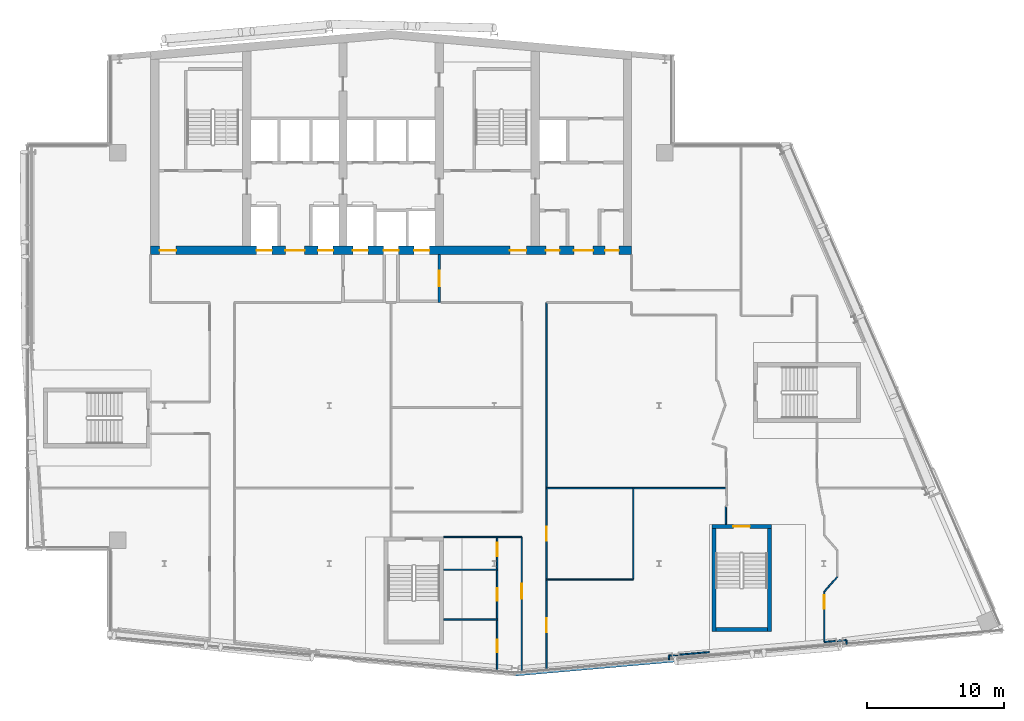
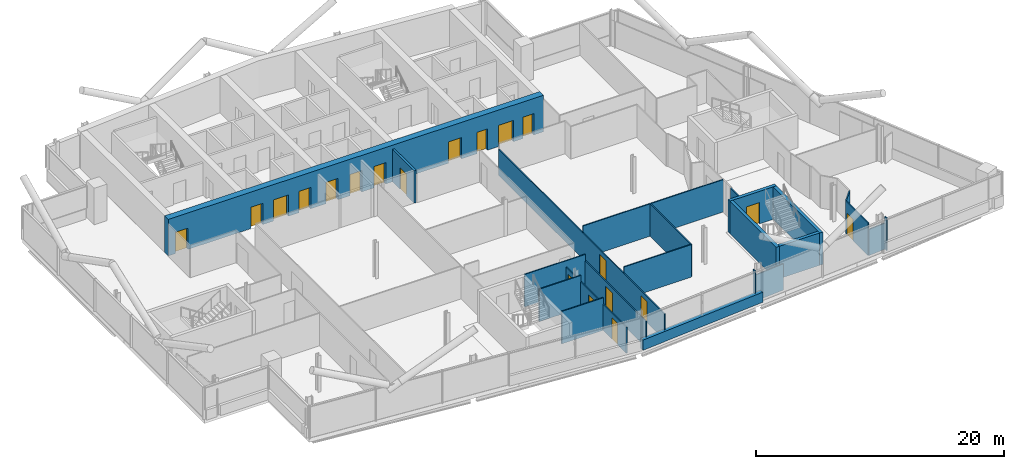
# One storey, part 16 of 28: 23 walls, 20 doors, 20 openings.
"""IFC4 building model written with IfcOpenShell, lengths in metres."""

import ifcopenshell
import ifcopenshell.guid

model = None  # the IFC model being written
_history = None  # IfcOwnerHistory: only IFC2X3 demands one
_inside = {}  # id of a spatial element -> (the spatial element, [elements in it])
_under = {}  # id of a project, library or spatial element -> (it, [spatial elements below it])
_declared = {}  # id of a project -> (the project, [libraries it declares])
_typed = {}  # id of a type object -> (the type object, [elements of that type])
_made_of = {}  # id of a material, layer set ... -> (it, [elements and type objects made of it])


def new_model(schema):
    """Start an empty IFC model of exactly this schema.

    Asked for "IFC4X3", IfcOpenShell would pick the latest addendum, in which some entities
    have other attributes; the version numbers below select the first issue.
    IFC2X3 requires an IfcOwnerHistory on every rooted entity: one is made here for all.
    """
    global model, _history
    if schema == "IFC4X3":
        model = ifcopenshell.file(schema_version=(4, 3, 0, 0))
    else:
        model = ifcopenshell.file(schema=schema)
    _inside.clear()
    _under.clear()
    _declared.clear()
    _typed.clear()
    _made_of.clear()
    _history = None
    if model.schema == "IFC2X3":
        org = make("IfcOrganization", Name="unknown")
        user = make(
            "IfcPersonAndOrganization",
            ThePerson=make("IfcPerson", FamilyName="unknown"),
            TheOrganization=org,
        )
        app = make(
            "IfcApplication",
            ApplicationDeveloper=org,
            Version="unknown",
            ApplicationFullName="unknown",
            ApplicationIdentifier="unknown",
        )
        _history = make(
            "IfcOwnerHistory",
            OwningUser=user,
            OwningApplication=app,
            ChangeAction="ADDED",
            CreationDate=0,
        )
    return model


def make(cls, **values):
    """One entity of the class cls with the attributes given. An attribute that is None is left unset."""
    return model.create_entity(
        cls, **{name: value for name, value in values.items() if value is not None}
    )


def rooted(cls, **values):
    """An entity with a GlobalId (a new one), such as an element, a storey or a relation."""
    return make(cls, GlobalId=ifcopenshell.guid.new(), OwnerHistory=_history, **values)


def si_unit(unit_type, name, prefix=None):
    """IfcSIUnit, for example si_unit("LENGTHUNIT", "METRE", prefix="MILLI")."""
    return make("IfcSIUnit", UnitType=unit_type, Prefix=prefix, Name=name)


def assignment(units):
    """IfcUnitAssignment: the units of a project."""
    return None if units is None else make("IfcUnitAssignment", Units=units)


def point(xyz):
    """IfcCartesianPoint."""
    return None if xyz is None else make("IfcCartesianPoint", Coordinates=xyz)


def direction(xyz):
    """IfcDirection."""
    return None if xyz is None else make("IfcDirection", DirectionRatios=xyz)


def frame(location, z_axis=None, x_axis=None):
    """IfcAxis2Placement3D, a coordinate frame: its origin and axes. An axis left out is left unset."""
    return make(
        "IfcAxis2Placement3D",
        Location=point(location),
        Axis=direction(z_axis),
        RefDirection=direction(x_axis),
    )


def frame_2d(location, x_axis=None):
    """IfcAxis2Placement2D, a coordinate frame in the plane: its origin and x axis."""
    return make(
        "IfcAxis2Placement2D", Location=point(location), RefDirection=direction(x_axis)
    )


def origin():
    """The frame at (0, 0, 0) with its axes left unset."""
    return frame((0.0, 0.0, 0.0))


def place(relative_to, where):
    """IfcLocalPlacement: puts the frame where relative to a parent placement (None: the world)."""
    return make(
        "IfcLocalPlacement", PlacementRelTo=relative_to, RelativePlacement=where
    )


def context(
    kind, dimensions, precision=None, world=None, true_north=None, identifier=None
):
    """IfcGeometricRepresentationContext, for example the 3D "Model" context."""
    return make(
        "IfcGeometricRepresentationContext",
        ContextIdentifier=identifier,
        ContextType=kind,
        CoordinateSpaceDimension=dimensions,
        Precision=precision,
        WorldCoordinateSystem=world,
        TrueNorth=true_north,
    )


def subcontext(parent, identifier, kind, view, scale=None):
    """IfcGeometricRepresentationSubContext, for example "Body" below "Model"."""
    return make(
        "IfcGeometricRepresentationSubContext",
        ContextIdentifier=identifier,
        ContextType=kind,
        ParentContext=parent,
        TargetScale=scale,
        TargetView=view,
    )


def project(units=None, contexts=None):
    """IfcProject with its units and contexts."""
    return rooted(
        "IfcProject",
        Name="project",
        RepresentationContexts=contexts,
        UnitsInContext=assignment(units),
    )


def spatial(cls, under=None, at=None, **own):
    """A site, building, storey or space (cls), placed at a placement, below another one or the project."""
    s = rooted(cls, ObjectPlacement=at, **own)
    if under is not None:
        _under.setdefault(under.id(), (under, []))[1].append(s)
    return s


def profile(cls, at=None, kind="AREA", **sizes):
    """A parametric profile (cls). Its sizes go by their IFC names, for example OverallWidth=200.0."""
    return make(cls, ProfileType=kind, Position=at, **sizes)


def rectangle(**sizes):
    """IfcRectangleProfileDef."""
    return profile("IfcRectangleProfileDef", **sizes)


def extrude(swept, where, along, depth):
    """IfcExtrudedAreaSolid: the profile swept, set in the frame where, extruded along a direction by depth."""
    return make(
        "IfcExtrudedAreaSolid",
        SweptArea=swept,
        Position=where,
        ExtrudedDirection=direction(along),
        Depth=depth,
    )


def shape(context_of_items, identifier, shape_type, items):
    """IfcShapeRepresentation: the items that make up one representation, for example the "Body"."""
    return make(
        "IfcShapeRepresentation",
        ContextOfItems=context_of_items,
        RepresentationIdentifier=identifier,
        RepresentationType=shape_type,
        Items=items,
    )


def material(Name=None, Category=None):
    """IfcMaterial."""
    return make("IfcMaterial", Name=Name, Category=Category)


def layer(
    of_material, thickness, ventilated=None, Name=None, Category=None, Priority=None
):
    """IfcMaterialLayer: one layer of a wall or slab, of a material (None: an air gap)."""
    return make(
        "IfcMaterialLayer",
        Material=of_material,
        LayerThickness=thickness,
        IsVentilated=ventilated,
        Name=Name,
        Category=Category,
        Priority=Priority,
    )


def layer_set(layers, Name=None):
    """IfcMaterialLayerSet."""
    return make("IfcMaterialLayerSet", MaterialLayers=layers, LayerSetName=Name)


def made_of(thing, what):
    """Note that an element or type object is made of a material, layer set ...; save() writes the relation."""
    if what is not None:
        _made_of.setdefault(what.id(), (what, []))[1].append(thing)
    return thing


def type_object(cls, material=None, **own):
    """A type object (cls), such as IfcWallType, which elements share."""
    return made_of(rooted(cls, **own), material)


def element(
    cls,
    number,
    at=None,
    inside=None,
    cuts=None,
    type_object=None,
    material=None,
    context=None,
    identifier="Body",
    shape_type=None,
    held_by="IfcProductDefinitionShape",
    body=None,
    shapes=None,
    **own,
):
    """One element of the class cls, such as IfcWall. Its Tag is "e" and its number.

    at: its placement. inside: the storey or other place that contains it. cuts: it is an
    opening in that element (IfcRelVoidsElement). A single representation is given by context,
    identifier, shape_type and body (its items); several are given by shapes. held_by: the class
    of the entity that holds the representations. save() writes the other relations.
    """
    e = rooted(cls, Tag="e%d" % number, ObjectPlacement=at, **own)
    if body is not None:
        shapes = [shape(context, identifier, shape_type, body)]
    if shapes is not None:
        e.Representation = make(held_by, Representations=shapes)
    if inside is not None:
        _inside.setdefault(inside.id(), (inside, []))[1].append(e)
    if cuts is not None:
        rooted(
            "IfcRelVoidsElement", RelatingBuildingElement=cuts, RelatedOpeningElement=e
        )
    if type_object is not None:
        _typed.setdefault(type_object.id(), (type_object, []))[1].append(e)
    return made_of(e, material)


def fill(opening, filler):
    """IfcRelFillsElement: the door or window that sits in an opening."""
    return rooted(
        "IfcRelFillsElement",
        RelatingOpeningElement=opening,
        RelatedBuildingElement=filler,
    )


def aggregate(whole, parts):
    """IfcRelAggregates: a whole, such as a stair, and the parts it consists of."""
    return rooted("IfcRelAggregates", RelatingObject=whole, RelatedObjects=parts)


def save(model, path):
    """Write the relations noted so far, then the file.

    IfcRelAggregates (storeys below a building ...), IfcRelContainedInSpatialStructure (elements
    in a storey), IfcRelDefinesByType, IfcRelAssociatesMaterial and IfcRelDeclares: one each for
    every whole, place, type object, material and project.
    """
    for whole, parts in _under.values():
        aggregate(whole, parts)
    for where, things in _inside.values():
        rooted(
            "IfcRelContainedInSpatialStructure",
            RelatedElements=things,
            RelatingStructure=where,
        )
    for kind, things in _typed.values():
        rooted("IfcRelDefinesByType", RelatedObjects=things, RelatingType=kind)
    for what, things in _made_of.values():
        rooted("IfcRelAssociatesMaterial", RelatedObjects=things, RelatingMaterial=what)
    for by, libraries in _declared.values():
        rooted("IfcRelDeclares", RelatingContext=by, RelatedDefinitions=libraries)
    model.write(path)


model = new_model("IFC4")

# Units and contexts
model_context = context("Model", 3, precision=1e-05, world=origin(), true_north=direction((0.0, 1.0)))
body_context = subcontext(model_context, "Body", "Model", "MODEL_VIEW")
ifc_project = project(units=[si_unit("LENGTHUNIT", "METRE"), si_unit("AREAUNIT", "SQUARE_METRE"), si_unit("VOLUMEUNIT", "CUBIC_METRE"), si_unit("PLANEANGLEUNIT", "RADIAN"), si_unit("MASSUNIT", "GRAM", prefix="KILO")], contexts=[model_context])

# Site, building, storey
site_placement = place(None, origin())
site = spatial("IfcSite", under=ifc_project, at=site_placement, CompositionType="ELEMENT")
building_placement = place(site_placement, origin())
building = spatial("IfcBuilding", under=site, at=building_placement, Name="Wharfspan Tower", CompositionType="ELEMENT")
storey_placement = place(building_placement, frame((0.0, 0.0, 253.899902)))
storey = spatial("IfcBuildingStorey", under=building, at=storey_placement, Name="L64", CompositionType="ELEMENT", Elevation=253.899902)

# Wall
ifc_material_1 = material(Name="Gypsum board on steel studs", Category="steel")
ifc_layer_1 = layer(ifc_material_1, 0.100098)
ifc_layer_set_1 = layer_set([ifc_layer_1], Name="Gypsum board on steel studs")
wall_type_1 = type_object("IfcWallType", Name="Compartment wall 100 EI 60", PredefinedType="PARTITIONING", material=ifc_layer_set_1)
wall_1_placement = place(storey_placement, frame((44.327148, 13.439941, 0.0), z_axis=(0.0, 0.0, 1.0), x_axis=(1.0, 0.0, 0.0)))
element("IfcWall", 1, at=wall_1_placement, inside=storey, type_object=wall_type_1, Name="Partition L64.w025", PredefinedType="PARTITIONING", context=body_context, shape_type="SweptSolid", body=[
    extrude(rectangle(XDim=5.682861, YDim=0.100098, at=frame_2d((2.841309, 0.0))), origin(), (0.0, 0.0, 1.0), 3.200195),
])

# Wall, openings, doors
wall_2_placement = place(storey_placement, frame((48.219971, 3.626221, 0.0), z_axis=(0.0, 0.0, 1.0), x_axis=(0.0, 1.0, 0.0)))
wall_2 = element("IfcWall", 2, at=wall_2_placement, inside=storey, type_object=wall_type_1, Name="Partition L64.w026", PredefinedType="PARTITIONING", context=body_context, shape_type="SweptSolid", body=[
    extrude(rectangle(XDim=9.808838, YDim=0.100098, at=frame_2d((4.904297, 0.0))), origin(), (0.0, 0.0, 1.0), 2.580078),
])
opening_1_placement = place(wall_2_placement, frame((1.429688, 0.0, 0.0)))
opening_1 = element("IfcOpeningElement", 3, at=opening_1_placement, cuts=wall_2, Name="Opening D6-01", PredefinedType="OPENING", context=body_context, shape_type="SweptSolid", body=[
    extrude(rectangle(XDim=0.899902, YDim=2.100098, at=frame_2d((0.449951, 1.050049))), frame((0.0, 0.060059, 0.0), z_axis=(0.0, -1.0, 0.0), x_axis=(1.0, 0.0, 0.0)), (0.0, 0.0, 1.0), 0.120117),
])
opening_2_placement = place(wall_2_placement, frame((5.178711, 0.0, 0.0)))
opening_2 = element("IfcOpeningElement", 4, at=opening_2_placement, cuts=wall_2, Name="Opening D6-04", PredefinedType="OPENING", context=body_context, shape_type="SweptSolid", body=[
    extrude(rectangle(XDim=0.899902, YDim=2.100098, at=frame_2d((0.449951, 1.050049))), frame((0.0, 0.060059, 0.0), z_axis=(0.0, -1.0, 0.0), x_axis=(1.0, 0.0, 0.0)), (0.0, 0.0, 1.0), 0.120117),
])
opening_3_placement = place(wall_2_placement, frame((8.394531, 0.0, 0.0)))
opening_3 = element("IfcOpeningElement", 5, at=opening_3_placement, cuts=wall_2, Name="Opening D6-08", PredefinedType="OPENING", context=body_context, shape_type="SweptSolid", body=[
    extrude(rectangle(XDim=1.0, YDim=2.100098, at=frame_2d((0.5, 1.050049))), frame((0.0, 0.060059, 0.0), z_axis=(0.0, -1.0, 0.0), x_axis=(1.0, 0.0, 0.0)), (0.0, 0.0, 1.0), 0.120117),
])
ifc_material_2 = material(Name="Timber door leaf in steel frame", Category="steel")
door_type_1 = type_object("IfcDoorType", Name="Door 1000 NOT RATED Right", OperationType="SINGLE_SWING_RIGHT", PredefinedType="DOOR", material=ifc_material_2)
door_1_placement = place(opening_3_placement, origin())
door_1 = element("IfcDoor", 6, at=door_1_placement, inside=storey, type_object=door_type_1, Name="Door D6-08", OperationType="SINGLE_SWING_RIGHT", OverallHeight=2.100098, OverallWidth=1.0, PredefinedType="DOOR", context=body_context, shape_type="SweptSolid", body=[
    extrude(rectangle(XDim=1.0, YDim=2.100098, at=frame_2d((0.5, 1.050049))), frame((0.0, 0.024902, 0.0), z_axis=(0.0, -1.0, 0.0), x_axis=(1.0, 0.0, 0.0)), (0.0, 0.0, 1.0), 0.050049),
])
fill(opening_3, door_1)
door_type_2 = type_object("IfcDoorType", Name="Door 900 NOT RATED Left", OperationType="SINGLE_SWING_LEFT", PredefinedType="DOOR", material=ifc_material_2)
door_2_placement = place(opening_1_placement, origin())
door_2 = element("IfcDoor", 7, at=door_2_placement, inside=storey, type_object=door_type_2, Name="Door D6-01", OperationType="SINGLE_SWING_LEFT", OverallHeight=2.100098, OverallWidth=0.899902, PredefinedType="DOOR", context=body_context, shape_type="SweptSolid", body=[
    extrude(rectangle(XDim=0.899902, YDim=2.100098, at=frame_2d((0.449951, 1.050049))), frame((0.0, 0.024902, 0.0), z_axis=(0.0, -1.0, 0.0), x_axis=(1.0, 0.0, 0.0)), (0.0, 0.0, 1.0), 0.050049),
])
fill(opening_1, door_2)
door_type_3 = type_object("IfcDoorType", Name="Door 900 NOT RATED Right", OperationType="SINGLE_SWING_RIGHT", PredefinedType="DOOR", material=ifc_material_2)
door_3_placement = place(opening_2_placement, origin())
door_3 = element("IfcDoor", 8, at=door_3_placement, inside=storey, type_object=door_type_3, Name="Door D6-04", OperationType="SINGLE_SWING_RIGHT", OverallHeight=2.100098, OverallWidth=0.899902, PredefinedType="DOOR", context=body_context, shape_type="SweptSolid", body=[
    extrude(rectangle(XDim=0.899902, YDim=2.100098, at=frame_2d((0.449951, 1.050049))), frame((0.0, 0.024902, 0.0), z_axis=(0.0, -1.0, 0.0), x_axis=(1.0, 0.0, 0.0)), (0.0, 0.0, 1.0), 0.050049),
])
fill(opening_2, door_3)

# Wall, opening, door
wall_3_placement = place(storey_placement, frame((50.01001, 3.558838, 0.0), z_axis=(0.0, 0.0, 1.0), x_axis=(0.0, 1.0, 0.0)))
wall_3 = element("IfcWall", 9, at=wall_3_placement, inside=storey, type_object=wall_type_1, Name="Partition L64.w027", PredefinedType="PARTITIONING", context=body_context, shape_type="SweptSolid", body=[
    extrude(rectangle(XDim=9.876221, YDim=0.100098, at=frame_2d((4.937988, 0.0))), origin(), (0.0, 0.0, 1.0), 2.580078),
])
opening_4_placement = place(wall_3_placement, frame((5.38623, 0.0, 0.0)))
opening_4 = element("IfcOpeningElement", 10, at=opening_4_placement, cuts=wall_3, Name="Opening D6-05", PredefinedType="OPENING", context=body_context, shape_type="SweptSolid", body=[
    extrude(rectangle(XDim=1.100098, YDim=2.100098, at=frame_2d((0.550049, 1.050049))), frame((0.0, 0.060059, 0.0), z_axis=(0.0, -1.0, 0.0), x_axis=(1.0, 0.0, 0.0)), (0.0, 0.0, 1.0), 0.120117),
])
ifc_material_3 = material(Name="Fire-rated timber door leaf in steel frame", Category="steel")
door_type_4 = type_object("IfcDoorType", Name="Door 1100 FD30S Right", OperationType="SINGLE_SWING_RIGHT", PredefinedType="DOOR", material=ifc_material_3)
door_4_placement = place(opening_4_placement, origin())
door_4 = element("IfcDoor", 11, at=door_4_placement, inside=storey, type_object=door_type_4, Name="Door D6-05", OperationType="SINGLE_SWING_RIGHT", OverallHeight=2.100098, OverallWidth=1.100098, PredefinedType="DOOR", context=body_context, shape_type="SweptSolid", body=[
    extrude(rectangle(XDim=1.100098, YDim=2.100098, at=frame_2d((0.550049, 1.050049))), frame((0.0, 0.024902, 0.0), z_axis=(0.0, -1.0, 0.0), x_axis=(1.0, 0.0, 0.0)), (0.0, 0.0, 1.0), 0.050049),
])
fill(opening_4, door_4)

# Wall, openings, doors
wall_4_placement = place(storey_placement, frame((51.820068, 3.717285, 0.0), z_axis=(0.0, 0.0, 1.0), x_axis=(0.0, 1.0, 0.0)))
wall_4 = element("IfcWall", 12, at=wall_4_placement, inside=storey, type_object=wall_type_1, Name="Partition L64.w029", PredefinedType="PARTITIONING", context=body_context, shape_type="SweptSolid", body=[
    extrude(rectangle(XDim=26.782715, YDim=0.100098, at=frame_2d((13.391357, 0.0))), origin(), (0.0, 0.0, 1.0), 2.580078),
])
opening_5_placement = place(wall_4_placement, frame((2.797607, 0.0, 0.0)))
opening_5 = element("IfcOpeningElement", 13, at=opening_5_placement, cuts=wall_4, Name="Opening D6-02", PredefinedType="OPENING", context=body_context, shape_type="SweptSolid", body=[
    extrude(rectangle(XDim=1.0, YDim=2.100098, at=frame_2d((0.5, 1.050049))), frame((0.0, 0.060059, 0.0), z_axis=(0.0, -1.0, 0.0), x_axis=(1.0, 0.0, 0.0)), (0.0, 0.0, 1.0), 0.120117),
])
opening_6_placement = place(wall_4_placement, frame((9.452881, 0.0, 0.0)))
opening_6 = element("IfcOpeningElement", 14, at=opening_6_placement, cuts=wall_4, Name="Opening D6-09", PredefinedType="OPENING", context=body_context, shape_type="SweptSolid", body=[
    extrude(rectangle(XDim=1.0, YDim=2.100098, at=frame_2d((0.5, 1.050049))), frame((0.0, 0.060059, 0.0), z_axis=(0.0, -1.0, 0.0), x_axis=(1.0, 0.0, 0.0)), (0.0, 0.0, 1.0), 0.120117),
])
door_type_5 = type_object("IfcDoorType", Name="Door 1000 FD30S Left", OperationType="SINGLE_SWING_LEFT", PredefinedType="DOOR", material=ifc_material_3)
door_5_placement = place(opening_5_placement, origin())
door_5 = element("IfcDoor", 15, at=door_5_placement, inside=storey, type_object=door_type_5, Name="Door D6-02", OperationType="SINGLE_SWING_LEFT", OverallHeight=2.100098, OverallWidth=1.0, PredefinedType="DOOR", context=body_context, shape_type="SweptSolid", body=[
    extrude(rectangle(XDim=1.0, YDim=2.100098, at=frame_2d((0.5, 1.050049))), frame((0.0, 0.024902, 0.0), z_axis=(0.0, -1.0, 0.0), x_axis=(1.0, 0.0, 0.0)), (0.0, 0.0, 1.0), 0.050049),
])
fill(opening_5, door_5)
door_6_placement = place(opening_6_placement, origin())
door_6 = element("IfcDoor", 16, at=door_6_placement, inside=storey, type_object=door_type_5, Name="Door D6-09", OperationType="SINGLE_SWING_LEFT", OverallHeight=2.100098, OverallWidth=1.0, PredefinedType="DOOR", context=body_context, shape_type="SweptSolid", body=[
    extrude(rectangle(XDim=1.0, YDim=2.100098, at=frame_2d((0.5, 1.050049))), frame((0.0, 0.024902, 0.0), z_axis=(0.0, -1.0, 0.0), x_axis=(1.0, 0.0, 0.0)), (0.0, 0.0, 1.0), 0.050049),
])
fill(opening_6, door_6)

# Walls
wall_5_placement = place(storey_placement, frame((51.820068, 10.344971, 0.0), z_axis=(0.0, 0.0, 1.0), x_axis=(1.0, 0.0, 0.0)))
element("IfcWall", 17, at=wall_5_placement, inside=storey, type_object=wall_type_1, Name="Partition L64.w030", PredefinedType="PARTITIONING", context=body_context, shape_type="SweptSolid", body=[
    extrude(rectangle(XDim=6.304932, YDim=0.100098, at=frame_2d((3.152344, 0.0))), origin(), (0.0, 0.0, 1.0), 3.200195),
])
wall_6_placement = place(storey_placement, frame((51.820068, 16.995117, 0.0), z_axis=(0.0, 0.0, 1.0), x_axis=(1.0, 0.0, 0.0)))
element("IfcWall", 18, at=wall_6_placement, inside=storey, type_object=wall_type_1, Name="Partition L64.w031", PredefinedType="PARTITIONING", context=body_context, shape_type="SweptSolid", body=[
    extrude(rectangle(XDim=13.099854, YDim=0.100098, at=frame_2d((6.549805, 0.0))), origin(), (0.0, 0.0, 1.0), 3.200195),
])
wall_7_placement = place(storey_placement, frame((64.870117, 14.366211, 0.0), z_axis=(0.0, 0.0, 1.0), x_axis=(0.0, 1.0, 0.0)))
element("IfcWall", 19, at=wall_7_placement, inside=storey, type_object=wall_type_1, Name="Partition L64.w044", PredefinedType="PARTITIONING", context=body_context, shape_type="SweptSolid", body=[
    extrude(rectangle(XDim=1.278809, YDim=0.100098, at=frame_2d((0.639404, 0.0))), origin(), (0.0, 0.0, 1.0), 3.200195),
])

# Wall, opening, door
wall_8_placement = place(storey_placement, frame((72.024902, 5.794922, 0.0), z_axis=(0.0, 0.0, 1.0), x_axis=(0.0, 1.0, 0.0)))
wall_8 = element("IfcWall", 20, at=wall_8_placement, inside=storey, type_object=wall_type_1, Name="Partition L64.w058", PredefinedType="PARTITIONING", context=body_context, shape_type="SweptSolid", body=[
    extrude(rectangle(XDim=3.655029, YDim=0.100098, at=frame_2d((1.827637, 0.0))), origin(), (0.0, 0.0, 1.0), 3.200195),
])
opening_7_placement = place(wall_8_placement, frame((2.419678, 0.0, 0.0)))
opening_7 = element("IfcOpeningElement", 21, at=opening_7_placement, cuts=wall_8, Name="Opening D6-03", PredefinedType="OPENING", context=body_context, shape_type="SweptSolid", body=[
    extrude(rectangle(XDim=1.0, YDim=2.100098, at=frame_2d((0.5, 1.050049))), frame((0.0, 0.060059, 0.0), z_axis=(0.0, -1.0, 0.0), x_axis=(1.0, 0.0, 0.0)), (0.0, 0.0, 1.0), 0.120117),
])
door_type_6 = type_object("IfcDoorType", Name="Door 1000 FD30S Right", OperationType="SINGLE_SWING_RIGHT", PredefinedType="DOOR", material=ifc_material_3)
door_7_placement = place(opening_7_placement, origin())
door_7 = element("IfcDoor", 22, at=door_7_placement, inside=storey, type_object=door_type_6, Name="Door D6-03", OperationType="SINGLE_SWING_RIGHT", OverallHeight=2.100098, OverallWidth=1.0, PredefinedType="DOOR", context=body_context, shape_type="SweptSolid", body=[
    extrude(rectangle(XDim=1.0, YDim=2.100098, at=frame_2d((0.5, 1.050049))), frame((0.0, 0.024902, 0.0), z_axis=(0.0, -1.0, 0.0), x_axis=(1.0, 0.0, 0.0)), (0.0, 0.0, 1.0), 0.050049),
])
fill(opening_7, door_7)

# Walls
wall_9_placement = place(storey_placement, frame((72.024902, 5.794922, 0.0), z_axis=(0.0, 0.0, 1.0), x_axis=(0.996236, 0.086708, 0.0)))
element("IfcWall", 23, at=wall_9_placement, inside=storey, type_object=wall_type_1, Name="Partition L64.w061", PredefinedType="PARTITIONING", context=body_context, shape_type="SweptSolid", body=[
    extrude(rectangle(XDim=1.616211, YDim=0.100098, at=frame_2d((0.808105, 0.0))), origin(), (0.0, 0.0, 1.0), 2.580078),
])
wall_10_placement = place(storey_placement, frame((72.024902, 9.449951, 0.0), z_axis=(0.0, 0.0, 1.0), x_axis=(0.662295, 0.749251, 0.0)))
element("IfcWall", 24, at=wall_10_placement, inside=storey, type_object=wall_type_1, Name="Partition L64.w062", PredefinedType="PARTITIONING", context=body_context, shape_type="SweptSolid", body=[
    extrude(rectangle(XDim=1.434814, YDim=0.100098, at=frame_2d((0.717285, 0.0))), origin(), (0.0, 0.0, 1.0), 3.200195),
])

# Wall, openings, doors
ifc_material_4 = material(Name="Concrete C50/60", Category="concrete")
ifc_layer_2 = layer(ifc_material_4, 0.600098)
ifc_layer_set_2 = layer_set([ifc_layer_2], Name="Concrete C50/60")
wall_type_2 = type_object("IfcWallType", Name="Core wall 600 C50/60", PredefinedType="SHEAR", material=ifc_layer_set_2)
wall_11_placement = place(storey_placement, frame((23.0, 34.300049, 0.0), z_axis=(0.0, 0.0, 1.0), x_axis=(1.0, 0.0, 0.0)))
wall_11 = element("IfcWall", 25, at=wall_11_placement, inside=storey, type_object=wall_type_2, Name="Core front wall L64", PredefinedType="SHEAR", context=body_context, shape_type="SweptSolid", body=[
    extrude(rectangle(XDim=35.0, YDim=0.600098, at=frame_2d((17.5, 0.0))), origin(), (0.0, 0.0, 1.0), 3.600098),
])
opening_8_placement = place(wall_11_placement, frame((0.649902, 0.0, 0.0)))
opening_8 = element("IfcOpeningElement", 26, at=opening_8_placement, cuts=wall_11, Name="Opening SV2.L64", PredefinedType="OPENING", context=body_context, shape_type="SweptSolid", body=[
    extrude(rectangle(XDim=1.199951, YDim=2.100098, at=frame_2d((0.600098, 1.050049))), frame((0.0, 0.310059, 0.0), z_axis=(0.0, -1.0, 0.0), x_axis=(1.0, 0.0, 0.0)), (0.0, 0.0, 1.0), 0.620117),
])
opening_9_placement = place(wall_11_placement, frame((7.716797, 0.0, 0.0)))
opening_9 = element("IfcOpeningElement", 27, at=opening_9_placement, cuts=wall_11, Name="Opening LD.SL1.L64", PredefinedType="OPENING", context=body_context, shape_type="SweptSolid", body=[
    extrude(rectangle(XDim=1.100098, YDim=2.100098, at=frame_2d((0.550049, 1.050049))), frame((0.0, 0.310059, 0.0), z_axis=(0.0, -1.0, 0.0), x_axis=(1.0, 0.0, 0.0)), (0.0, 0.0, 1.0), 0.620117),
])
opening_10_placement = place(wall_11_placement, frame((12.18335, 0.0, 0.0)))
opening_10 = element("IfcOpeningElement", 28, at=opening_10_placement, cuts=wall_11, Name="Opening LD.SL2.L64", PredefinedType="OPENING", context=body_context, shape_type="SweptSolid", body=[
    extrude(rectangle(XDim=1.100098, YDim=2.100098, at=frame_2d((0.550049, 1.050049))), frame((0.0, 0.310059, 0.0), z_axis=(0.0, -1.0, 0.0), x_axis=(1.0, 0.0, 0.0)), (0.0, 0.0, 1.0), 0.620117),
])
opening_11_placement = place(wall_11_placement, frame((9.800049, 0.0, 0.0)))
opening_11 = element("IfcOpeningElement", 29, at=opening_11_placement, cuts=wall_11, Name="Opening HD64.3", PredefinedType="OPENING", context=body_context, shape_type="SweptSolid", body=[
    extrude(rectangle(XDim=1.399902, YDim=2.100098, at=frame_2d((0.699951, 1.050049))), frame((0.0, 0.310059, 0.0), z_axis=(0.0, -1.0, 0.0), x_axis=(1.0, 0.0, 0.0)), (0.0, 0.0, 1.0), 0.620117),
])
opening_12_placement = place(wall_11_placement, frame((14.716797, 0.0, 0.0)))
opening_12 = element("IfcOpeningElement", 30, at=opening_12_placement, cuts=wall_11, Name="Opening LD.FF1.L64", PredefinedType="OPENING", context=body_context, shape_type="SweptSolid", body=[
    extrude(rectangle(XDim=1.100098, YDim=2.100098, at=frame_2d((0.550049, 1.050049))), frame((0.0, 0.310059, 0.0), z_axis=(0.0, -1.0, 0.0), x_axis=(1.0, 0.0, 0.0)), (0.0, 0.0, 1.0), 0.620117),
])
opening_13_placement = place(wall_11_placement, frame((16.949951, 0.0, 0.0)))
opening_13 = element("IfcOpeningElement", 31, at=opening_13_placement, cuts=wall_11, Name="Opening LD.LB7.L64", PredefinedType="OPENING", context=body_context, shape_type="SweptSolid", body=[
    extrude(rectangle(XDim=1.100098, YDim=2.100098, at=frame_2d((0.550049, 1.050049))), frame((0.0, 0.310059, 0.0), z_axis=(0.0, -1.0, 0.0), x_axis=(1.0, 0.0, 0.0)), (0.0, 0.0, 1.0), 0.620117),
])
opening_14_placement = place(wall_11_placement, frame((19.18335, 0.0, 0.0)))
opening_14 = element("IfcOpeningElement", 32, at=opening_14_placement, cuts=wall_11, Name="Opening LD.FF2.L64", PredefinedType="OPENING", context=body_context, shape_type="SweptSolid", body=[
    extrude(rectangle(XDim=1.100098, YDim=2.100098, at=frame_2d((0.550049, 1.050049))), frame((0.0, 0.310059, 0.0), z_axis=(0.0, -1.0, 0.0), x_axis=(1.0, 0.0, 0.0)), (0.0, 0.0, 1.0), 0.620117),
])
opening_15_placement = place(wall_11_placement, frame((26.149902, 0.0, 0.0)))
opening_15 = element("IfcOpeningElement", 33, at=opening_15_placement, cuts=wall_11, Name="Opening SV5.L64", PredefinedType="OPENING", context=body_context, shape_type="SweptSolid", body=[
    extrude(rectangle(XDim=1.199951, YDim=2.100098, at=frame_2d((0.600098, 1.050049))), frame((0.0, 0.310059, 0.0), z_axis=(0.0, -1.0, 0.0), x_axis=(1.0, 0.0, 0.0)), (0.0, 0.0, 1.0), 0.620117),
])
opening_16_placement = place(wall_11_placement, frame((28.766602, 0.0, 0.0)))
opening_16 = element("IfcOpeningElement", 34, at=opening_16_placement, cuts=wall_11, Name="Opening CD64.6F1", PredefinedType="OPENING", context=body_context, shape_type="SweptSolid", body=[
    extrude(rectangle(XDim=1.0, YDim=2.100098, at=frame_2d((0.5, 1.050049))), frame((0.0, 0.310059, 0.0), z_axis=(0.0, -1.0, 0.0), x_axis=(1.0, 0.0, 0.0)), (0.0, 0.0, 1.0), 0.620117),
])
opening_17_placement = place(wall_11_placement, frame((33.083252, 0.0, 0.0)))
opening_17 = element("IfcOpeningElement", 35, at=opening_17_placement, cuts=wall_11, Name="Opening CD64.6F3", PredefinedType="OPENING", context=body_context, shape_type="SweptSolid", body=[
    extrude(rectangle(XDim=1.0, YDim=2.100098, at=frame_2d((0.5, 1.050049))), frame((0.0, 0.310059, 0.0), z_axis=(0.0, -1.0, 0.0), x_axis=(1.0, 0.0, 0.0)), (0.0, 0.0, 1.0), 0.620117),
])
opening_18_placement = place(wall_11_placement, frame((30.800049, 0.0, 0.0)))
opening_18 = element("IfcOpeningElement", 36, at=opening_18_placement, cuts=wall_11, Name="Opening HD64.6", PredefinedType="OPENING", context=body_context, shape_type="SweptSolid", body=[
    extrude(rectangle(XDim=1.399902, YDim=2.100098, at=frame_2d((0.699951, 1.050049))), frame((0.0, 0.310059, 0.0), z_axis=(0.0, -1.0, 0.0), x_axis=(1.0, 0.0, 0.0)), (0.0, 0.0, 1.0), 0.620117),
])
ifc_material_5 = material(Name="Steel door leaf", Category="steel")
door_type_7 = type_object("IfcDoorType", Name="Core room door 1000x2100", OperationType="SINGLE_SWING_LEFT", PredefinedType="DOOR", material=ifc_material_5)
door_8_placement = place(opening_16_placement, origin())
door_8 = element("IfcDoor", 37, at=door_8_placement, inside=storey, type_object=door_type_7, Name="d:L64:6:fd6.1", OperationType="SINGLE_SWING_LEFT", OverallHeight=2.100098, OverallWidth=1.0, PredefinedType="DOOR", context=body_context, shape_type="SweptSolid", body=[
    extrude(rectangle(XDim=1.0, YDim=2.100098, at=frame_2d((0.5, 1.050049))), frame((0.0, 0.024902, 0.0), z_axis=(0.0, -1.0, 0.0), x_axis=(1.0, 0.0, 0.0)), (0.0, 0.0, 1.0), 0.050049),
])
fill(opening_16, door_8)
door_9_placement = place(opening_17_placement, origin())
door_9 = element("IfcDoor", 38, at=door_9_placement, inside=storey, type_object=door_type_7, Name="d:L64:6:fd6.3", OperationType="SINGLE_SWING_LEFT", OverallHeight=2.100098, OverallWidth=1.0, PredefinedType="DOOR", context=body_context, shape_type="SweptSolid", body=[
    extrude(rectangle(XDim=1.0, YDim=2.100098, at=frame_2d((0.5, 1.050049))), frame((0.0, 0.024902, 0.0), z_axis=(0.0, -1.0, 0.0), x_axis=(1.0, 0.0, 0.0)), (0.0, 0.0, 1.0), 0.050049),
])
fill(opening_17, door_9)
door_type_8 = type_object("IfcDoorType", Name="Hall entry door 1400x2100", OperationType="DOUBLE_DOOR_SINGLE_SWING", PredefinedType="DOOR", material=ifc_material_5)
door_10_placement = place(opening_11_placement, origin())
door_10 = element("IfcDoor", 39, at=door_10_placement, inside=storey, type_object=door_type_8, Name="d:L64:3:hd3", OperationType="DOUBLE_DOOR_SINGLE_SWING", OverallHeight=2.100098, OverallWidth=1.399902, PredefinedType="DOOR", context=body_context, shape_type="SweptSolid", body=[
    extrude(rectangle(XDim=1.399902, YDim=2.100098, at=frame_2d((0.699951, 1.050049))), frame((0.0, 0.024902, 0.0), z_axis=(0.0, -1.0, 0.0), x_axis=(1.0, 0.0, 0.0)), (0.0, 0.0, 1.0), 0.050049),
])
fill(opening_11, door_10)
door_11_placement = place(opening_18_placement, origin())
door_11 = element("IfcDoor", 40, at=door_11_placement, inside=storey, type_object=door_type_8, Name="d:L64:6:hd6", OperationType="DOUBLE_DOOR_SINGLE_SWING", OverallHeight=2.100098, OverallWidth=1.399902, PredefinedType="DOOR", context=body_context, shape_type="SweptSolid", body=[
    extrude(rectangle(XDim=1.399902, YDim=2.100098, at=frame_2d((0.699951, 1.050049))), frame((0.0, 0.024902, 0.0), z_axis=(0.0, -1.0, 0.0), x_axis=(1.0, 0.0, 0.0)), (0.0, 0.0, 1.0), 0.050049),
])
fill(opening_18, door_11)
ifc_material_6 = material(Name="Stainless steel", Category="steel")
door_type_9 = type_object("IfcDoorType", Name="Lift landing door 1100x2100", OperationType="DOUBLE_DOOR_SLIDING", PredefinedType="DOOR", material=ifc_material_6)
door_12_placement = place(opening_9_placement, origin())
door_12 = element("IfcDoor", 41, at=door_12_placement, inside=storey, type_object=door_type_9, Name="Landing door SL1 L64", OperationType="DOUBLE_DOOR_SLIDING", OverallHeight=2.100098, OverallWidth=1.100098, PredefinedType="DOOR", context=body_context, shape_type="SweptSolid", body=[
    extrude(rectangle(XDim=1.100098, YDim=2.100098, at=frame_2d((0.550049, 1.050049))), frame((0.0, 0.024902, 0.0), z_axis=(0.0, -1.0, 0.0), x_axis=(1.0, 0.0, 0.0)), (0.0, 0.0, 1.0), 0.050049),
])
fill(opening_9, door_12)
door_13_placement = place(opening_10_placement, origin())
door_13 = element("IfcDoor", 42, at=door_13_placement, inside=storey, type_object=door_type_9, Name="Landing door SL2 L64", OperationType="DOUBLE_DOOR_SLIDING", OverallHeight=2.100098, OverallWidth=1.100098, PredefinedType="DOOR", context=body_context, shape_type="SweptSolid", body=[
    extrude(rectangle(XDim=1.100098, YDim=2.100098, at=frame_2d((0.550049, 1.050049))), frame((0.0, 0.024902, 0.0), z_axis=(0.0, -1.0, 0.0), x_axis=(1.0, 0.0, 0.0)), (0.0, 0.0, 1.0), 0.050049),
])
fill(opening_10, door_13)
door_14_placement = place(opening_12_placement, origin())
door_14 = element("IfcDoor", 43, at=door_14_placement, inside=storey, type_object=door_type_9, Name="Landing door FF1 L64", OperationType="DOUBLE_DOOR_SLIDING", OverallHeight=2.100098, OverallWidth=1.100098, PredefinedType="DOOR", context=body_context, shape_type="SweptSolid", body=[
    extrude(rectangle(XDim=1.100098, YDim=2.100098, at=frame_2d((0.550049, 1.050049))), frame((0.0, 0.024902, 0.0), z_axis=(0.0, -1.0, 0.0), x_axis=(1.0, 0.0, 0.0)), (0.0, 0.0, 1.0), 0.050049),
])
fill(opening_12, door_14)
door_15_placement = place(opening_13_placement, origin())
door_15 = element("IfcDoor", 44, at=door_15_placement, inside=storey, type_object=door_type_9, Name="Landing door LB7 L64", OperationType="DOUBLE_DOOR_SLIDING", OverallHeight=2.100098, OverallWidth=1.100098, PredefinedType="DOOR", context=body_context, shape_type="SweptSolid", body=[
    extrude(rectangle(XDim=1.100098, YDim=2.100098, at=frame_2d((0.550049, 1.050049))), frame((0.0, 0.024902, 0.0), z_axis=(0.0, -1.0, 0.0), x_axis=(1.0, 0.0, 0.0)), (0.0, 0.0, 1.0), 0.050049),
])
fill(opening_13, door_15)
door_16_placement = place(opening_14_placement, origin())
door_16 = element("IfcDoor", 45, at=door_16_placement, inside=storey, type_object=door_type_9, Name="Landing door FF2 L64", OperationType="DOUBLE_DOOR_SLIDING", OverallHeight=2.100098, OverallWidth=1.100098, PredefinedType="DOOR", context=body_context, shape_type="SweptSolid", body=[
    extrude(rectangle(XDim=1.100098, YDim=2.100098, at=frame_2d((0.550049, 1.050049))), frame((0.0, 0.024902, 0.0), z_axis=(0.0, -1.0, 0.0), x_axis=(1.0, 0.0, 0.0)), (0.0, 0.0, 1.0), 0.050049),
])
fill(opening_14, door_16)
door_type_10 = type_object("IfcDoorType", Name="Stair door 1200x2100", OperationType="SINGLE_SWING_LEFT", PredefinedType="DOOR", material=ifc_material_5)
door_17_placement = place(opening_8_placement, origin())
door_17 = element("IfcDoor", 46, at=door_17_placement, inside=storey, type_object=door_type_10, Name="vd:L64:2", OperationType="SINGLE_SWING_LEFT", OverallHeight=2.100098, OverallWidth=1.199951, PredefinedType="DOOR", context=body_context, shape_type="SweptSolid", body=[
    extrude(rectangle(XDim=1.199951, YDim=2.100098, at=frame_2d((0.600098, 1.050049))), frame((0.0, 0.024902, 0.0), z_axis=(0.0, -1.0, 0.0), x_axis=(1.0, 0.0, 0.0)), (0.0, 0.0, 1.0), 0.050049),
])
fill(opening_8, door_17)
door_18_placement = place(opening_15_placement, origin())
door_18 = element("IfcDoor", 47, at=door_18_placement, inside=storey, type_object=door_type_10, Name="vd:L64:5", OperationType="SINGLE_SWING_LEFT", OverallHeight=2.100098, OverallWidth=1.199951, PredefinedType="DOOR", context=body_context, shape_type="SweptSolid", body=[
    extrude(rectangle(XDim=1.199951, YDim=2.100098, at=frame_2d((0.600098, 1.050049))), frame((0.0, 0.024902, 0.0), z_axis=(0.0, -1.0, 0.0), x_axis=(1.0, 0.0, 0.0)), (0.0, 0.0, 1.0), 0.050049),
])
fill(opening_15, door_18)

# Wall, opening, door
ifc_material_7 = material(Name="Concrete C30/37", Category="concrete")
ifc_layer_3 = layer(ifc_material_7, 0.199951)
ifc_layer_set_3 = layer_set([ifc_layer_3], Name="Concrete C30/37")
wall_type_3 = type_object("IfcWallType", Name="Lobby wall 200", PredefinedType="PARTITIONING", material=ifc_layer_set_3)
wall_12_placement = place(storey_placement, frame((44.0, 30.5, 0.0), z_axis=(0.0, 0.0, 1.0), x_axis=(0.0, 1.0, 0.0)))
wall_12 = element("IfcWall", 48, at=wall_12_placement, inside=storey, type_object=wall_type_3, Name="sw:L64:FLFF2E", PredefinedType="PARTITIONING", context=body_context, shape_type="SweptSolid", body=[
    extrude(rectangle(XDim=3.5, YDim=0.199951, at=frame_2d((1.75, 0.0))), origin(), (0.0, 0.0, 1.0), 3.200195),
])
opening_19_placement = place(wall_12_placement, frame((1.199951, 0.0, 0.0)))
opening_19 = element("IfcOpeningElement", 49, at=opening_19_placement, cuts=wall_12, Name="Opening FL.FF2.L64", PredefinedType="OPENING", context=body_context, shape_type="SweptSolid", body=[
    extrude(rectangle(XDim=1.100098, YDim=2.100098, at=frame_2d((0.550049, 1.050049))), frame((0.0, 0.109863, 0.0), z_axis=(0.0, -1.0, 0.0), x_axis=(1.0, 0.0, 0.0)), (0.0, 0.0, 1.0), 0.219971),
])
door_type_11 = type_object("IfcDoorType", Name="Firefighting lobby door 1100x2100", OperationType="SINGLE_SWING_LEFT", PredefinedType="DOOR", material=ifc_material_5)
door_19_placement = place(opening_19_placement, origin())
door_19 = element("IfcDoor", 50, at=door_19_placement, inside=storey, type_object=door_type_11, Name="fd:L64:FF2", OperationType="SINGLE_SWING_LEFT", OverallHeight=2.100098, OverallWidth=1.100098, PredefinedType="DOOR", context=body_context, shape_type="SweptSolid", body=[
    extrude(rectangle(XDim=1.100098, YDim=2.100098, at=frame_2d((0.550049, 1.050049))), frame((0.0, 0.024902, 0.0), z_axis=(0.0, -1.0, 0.0), x_axis=(1.0, 0.0, 0.0)), (0.0, 0.0, 1.0), 0.050049),
])
fill(opening_19, door_19)

# Walls
ifc_layer_4 = layer(ifc_material_1, 0.100098)
ifc_layer_set_4 = layer_set([ifc_layer_4], Name="Gypsum board on steel studs")
wall_type_4 = type_object("IfcWallType", Name="Partition 100", PredefinedType="PARTITIONING", material=ifc_layer_set_4)
for number, where, z_axis, x_axis, name in (
    (51, (44.327148, 7.425049, 0.0), (0.0, 0.0, 1.0), (1.0, 0.0, 0.0), "Partition L64.w023"),
    (52, (44.327148, 11.054932, 0.0), (0.0, 0.0, 1.0), (1.0, 0.0, 0.0), "Partition L64.w024"),
):
    element("IfcWall", number, at=place(storey_placement, frame(where, z_axis=z_axis, x_axis=x_axis)), inside=storey, type_object=wall_type_4, Name=name, PredefinedType="PARTITIONING", context=body_context, shape_type="SweptSolid", body=[
        extrude(rectangle(XDim=3.892822, YDim=0.100098, at=frame_2d((1.946289, 0.0))), origin(), (0.0, 0.0, 1.0), 3.200195),
    ])
wall_13_placement = place(storey_placement, frame((58.125, 10.350098, 0.0), z_axis=(0.0, 0.0, 1.0), x_axis=(0.0, 1.0, 0.0)))
element("IfcWall", 53, at=wall_13_placement, inside=storey, type_object=wall_type_4, Name="Partition L64.w037", PredefinedType="PARTITIONING", context=body_context, shape_type="SweptSolid", body=[
    extrude(rectangle(XDim=6.64502, YDim=0.100098, at=frame_2d((3.32251, 0.0))), origin(), (0.0, 0.0, 1.0), 3.200195),
])
wall_14_placement = place(storey_placement, frame((60.705078, 4.804932, 0.0), z_axis=(0.0, 0.0, 1.0), x_axis=(0.996324, 0.085692, 0.0)))
element("IfcWall", 54, at=wall_14_placement, inside=storey, type_object=wall_type_4, Name="Partition L64.w038", PredefinedType="PARTITIONING", context=body_context, shape_type="SweptSolid", body=[
    extrude(rectangle(XDim=2.95459, YDim=0.100098, at=frame_2d((1.477295, 0.0))), origin(), (0.0, 0.0, 1.0), 2.580078),
])
wall_15_placement = place(storey_placement, frame((60.73291, 4.49707, 0.0), z_axis=(0.0, 0.0, 1.0), x_axis=(-0.090037, 0.995936, 0.0)))
element("IfcWall", 55, at=wall_15_placement, inside=storey, type_object=wall_type_4, Name="Partition L64.w039", PredefinedType="PARTITIONING", context=body_context, shape_type="SweptSolid", body=[
    extrude(rectangle(XDim=0.309082, YDim=0.100098, at=frame_2d((0.154541, 0.0))), origin(), (0.0, 0.0, 1.0), 3.200195),
])
wall_16_placement = place(storey_placement, frame((73.66333, 5.628174, 0.0), z_axis=(0.0, 0.0, 1.0), x_axis=(-0.091893, 0.995772, 0.0)))
element("IfcWall", 56, at=wall_16_placement, inside=storey, type_object=wall_type_4, Name="Partition L64.w065", PredefinedType="PARTITIONING", context=body_context, shape_type="SweptSolid", body=[
    extrude(rectangle(XDim=0.308105, YDim=0.100098, at=frame_2d((0.154053, 0.0))), origin(), (0.0, 0.0, 1.0), 3.200195),
])
ifc_material_8 = material(Name="Concrete C40/50", Category="concrete")
ifc_layer_5 = layer(ifc_material_8, 0.350098)
ifc_layer_set_5 = layer_set([ifc_layer_5], Name="Concrete C40/50")
wall_type_5 = type_object("IfcWallType", Name="SPANDREL EXPOSED CONCRETE 350", PredefinedType="SOLIDWALL", material=ifc_layer_set_5)
wall_17_placement = place(storey_placement, frame((49.54541, 3.493164, 0.0), z_axis=(0.0, 0.0, 1.0), x_axis=(0.996196, 0.087141, 0.0)))
element("IfcWall", 57, at=wall_17_placement, inside=storey, type_object=wall_type_5, Name="Spandrel upstand L64 S2 1", PredefinedType="SOLIDWALL", context=body_context, shape_type="SweptSolid", body=[
    extrude(rectangle(XDim=11.803467, YDim=0.350098, at=frame_2d((5.901855, 0.0))), origin(), (0.0, 0.0, 1.0), 1.0),
])

# Wall, opening, door
ifc_layer_6 = layer(ifc_material_8, 0.300049)
ifc_layer_set_6 = layer_set([ifc_layer_6], Name="Concrete C40/50")
wall_type_6 = type_object("IfcWallType", Name="Stair core wall 300", PredefinedType="SHEAR", material=ifc_layer_set_6)
wall_18_placement = place(storey_placement, frame((63.84375, 14.196289, 0.0), z_axis=(0.0, 0.0, 1.0), x_axis=(1.0, 0.0, 0.0)))
wall_18 = element("IfcWall", 58, at=wall_18_placement, inside=storey, type_object=wall_type_6, Name="ST5 stair enclosure wall L64", PredefinedType="SHEAR", context=body_context, shape_type="SweptSolid", body=[
    extrude(rectangle(XDim=4.350098, YDim=0.300049, at=frame_2d((2.175049, 0.0))), origin(), (0.0, 0.0, 1.0), 3.200195),
])
opening_20_placement = place(wall_18_placement, frame((1.574951, 0.0, 0.0)))
opening_20 = element("IfcOpeningElement", 59, at=opening_20_placement, cuts=wall_18, Name="Opening SD5.L64", PredefinedType="OPENING", context=body_context, shape_type="SweptSolid", body=[
    extrude(rectangle(XDim=1.199951, YDim=2.100098, at=frame_2d((0.600098, 1.050049))), frame((0.0, 0.159912, 0.0), z_axis=(0.0, -1.0, 0.0), x_axis=(1.0, 0.0, 0.0)), (0.0, 0.0, 1.0), 0.320068),
])
door_20_placement = place(opening_20_placement, origin())
door_20 = element("IfcDoor", 60, at=door_20_placement, inside=storey, type_object=door_type_10, Name="sd:L64:ST5z4", OperationType="SINGLE_SWING_RIGHT", OverallHeight=2.100098, OverallWidth=1.199951, PredefinedType="DOOR", context=body_context, shape_type="SweptSolid", body=[
    extrude(rectangle(XDim=1.199951, YDim=2.100098, at=frame_2d((0.600098, 1.050049))), frame((0.0, 0.024902, 0.0), z_axis=(0.0, -1.0, 0.0), x_axis=(1.0, 0.0, 0.0)), (0.0, 0.0, 1.0), 0.050049),
])
fill(opening_20, door_20)

# Walls
for number, where, z_axis, x_axis, name in (
    (61, (63.993896, 6.546143, 0.0), (0.0, 0.0, 1.0), (0.0, 1.0, 0.0), "ST5 stair enclosure wall L64"),
    (62, (68.043701, 6.546143, 0.0), (0.0, 0.0, 1.0), (0.0, 1.0, 0.0), "ST5 stair enclosure wall L64"),
):
    element("IfcWall", number, at=place(storey_placement, frame(where, z_axis=z_axis, x_axis=x_axis)), inside=storey, type_object=wall_type_6, Name=name, PredefinedType="SHEAR", context=body_context, shape_type="SweptSolid", body=[
        extrude(rectangle(XDim=7.5, YDim=0.300049, at=frame_2d((3.75, 0.0))), origin(), (0.0, 0.0, 1.0), 3.200195),
    ])
wall_19_placement = place(storey_placement, frame((64.143799, 6.696289, 0.0), z_axis=(0.0, 0.0, 1.0), x_axis=(1.0, 0.0, 0.0)))
element("IfcWall", 63, at=wall_19_placement, inside=storey, type_object=wall_type_6, Name="ST5 stair enclosure wall L64", PredefinedType="SHEAR", context=body_context, shape_type="SweptSolid", body=[
    extrude(rectangle(XDim=3.75, YDim=0.300049, at=frame_2d((1.875, 0.0))), origin(), (0.0, 0.0, 1.0), 3.200195),
])

save(model, "model.ifc")
